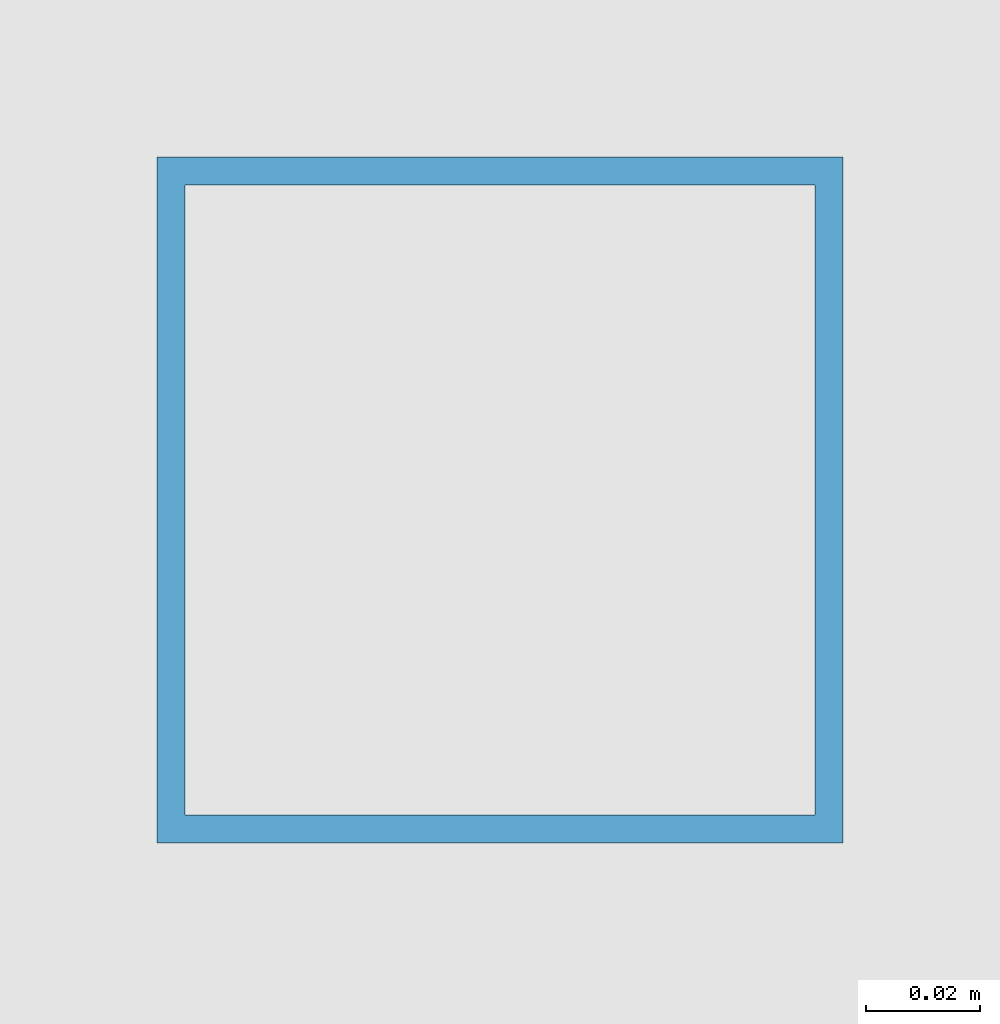
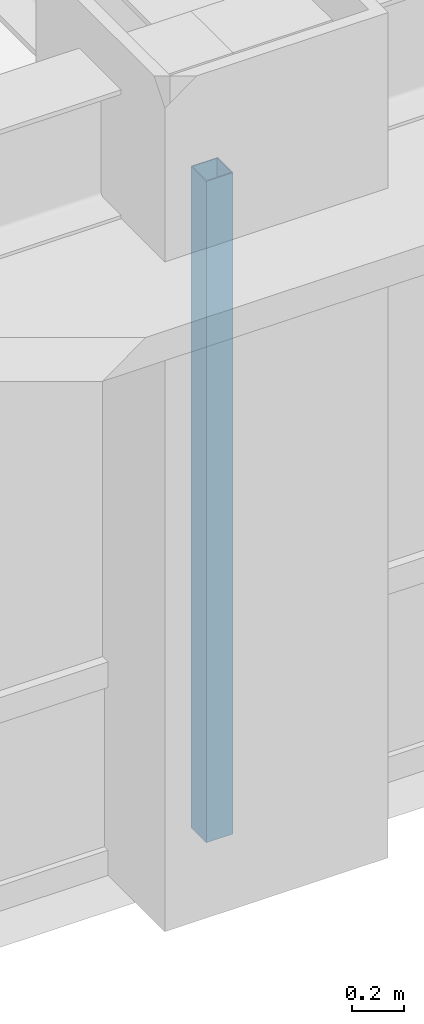
# One storey, part 4 of 29: 1 member, 1 element without a shape of its own.
"""IFC4 building model written with IfcOpenShell, lengths in metres."""

from ifc_helpers import new_model, si_unit, direction, frame, origin, origin_2d, place, context, subcontext, project, spatial, hollow_rectangle, extrude, source, transform, mapped, material, material_profile, profile_set, type_object, element, aggregate, save


model = new_model("IFC4")

# Units and contexts
model_context = context("Model", 3, precision=1e-05, world=origin(), true_north=direction((0.0, 1.0)))
body_context = subcontext(model_context, "Body", "Model", "MODEL_VIEW")
ifc_project = project(units=[si_unit("LENGTHUNIT", "METRE"), si_unit("AREAUNIT", "SQUARE_METRE"), si_unit("VOLUMEUNIT", "CUBIC_METRE"), si_unit("PLANEANGLEUNIT", "RADIAN"), si_unit("MASSUNIT", "GRAM", prefix="KILO")], contexts=[model_context])

# Site, building, storey
site_placement = place(None, origin())
site = spatial("IfcSite", under=ifc_project, at=site_placement, CompositionType="ELEMENT")
building_placement = place(site_placement, origin())
building = spatial("IfcBuilding", under=site, at=building_placement, Name="Khorayat Bourse Tower", CompositionType="ELEMENT")
storey_placement = place(building_placement, frame((0.0, 0.0, 239.10009765625)))
storey = spatial("IfcBuildingStorey", under=building, at=storey_placement, Name="L56", CompositionType="ELEMENT", Elevation=239.10009765625)

# Curtain wall, member
ifc_material = material(Name="Aluminium EN AW-6063 T6", Category="aluminium")
curtain_wall_type = type_object("IfcCurtainWallType", Name="CW-SYS-03", PredefinedType="NOTDEFINED", material=ifc_material)
curtain_wall_placement = place(storey_placement, origin())
curtain_wall = element("IfcCurtainWall", 1, at=curtain_wall_placement, inside=storey, type_object=curtain_wall_type, Name="L56 Curtain Wall CW-L56-S1", PredefinedType="NOTDEFINED")
ifc_material_profile = material_profile(ifc_material, hollow_rectangle(XDim=0.1201171875, YDim=0.1201171875, WallThickness=0.0048828125, at=origin_2d()), Name="ALU 120x120x5")
ifc_profile_set = profile_set([ifc_material_profile], Name="Aluminium EN AW-6063 T6")
member_type = type_object("IfcMemberType", Name="CWM-VERT-120", PredefinedType="MULLION", material=ifc_profile_set)
shared_shape = source(origin(), body_context, "Body", "SweptSolid", [
    extrude(hollow_rectangle(XDim=0.1201171875, YDim=0.1201171875, WallThickness=0.0048828125, at=origin_2d()), origin(), (0.0, 0.0, 1.0), 3.1298828125),
])
member_placement = place(storey_placement, frame((0.0, -30.0, 0.0), z_axis=(0.0, 0.0, 1.0), x_axis=(0.0, 1.0, 0.0)))
member = element("IfcMember", 2, at=member_placement, type_object=member_type, Name="CW-L56-S1 Vertical Mullion 2", PredefinedType="MULLION", context=body_context, shape_type="MappedRepresentation", body=[
    mapped(shared_shape, transform((0.0, 0.0, 0.0), scale=1.0)),
])
aggregate(curtain_wall, [member])

save(model, "model.ifc")
